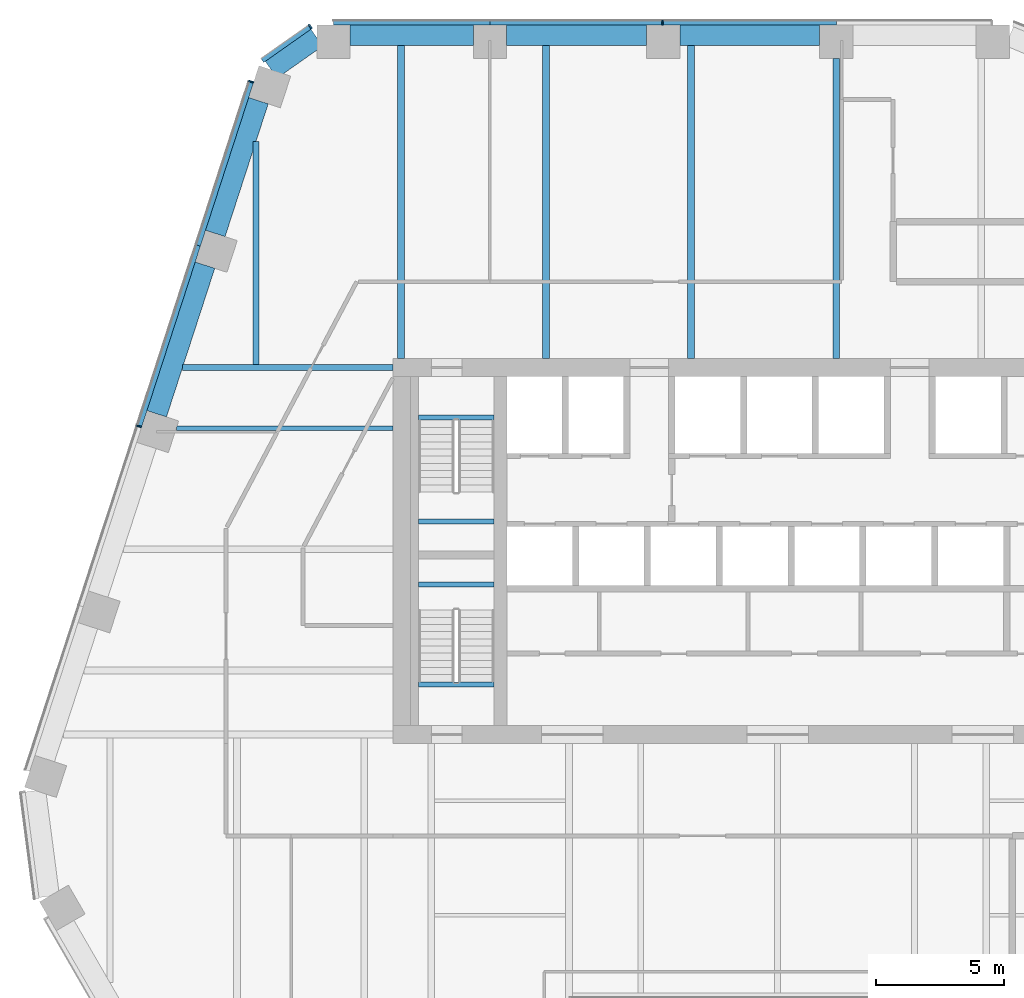
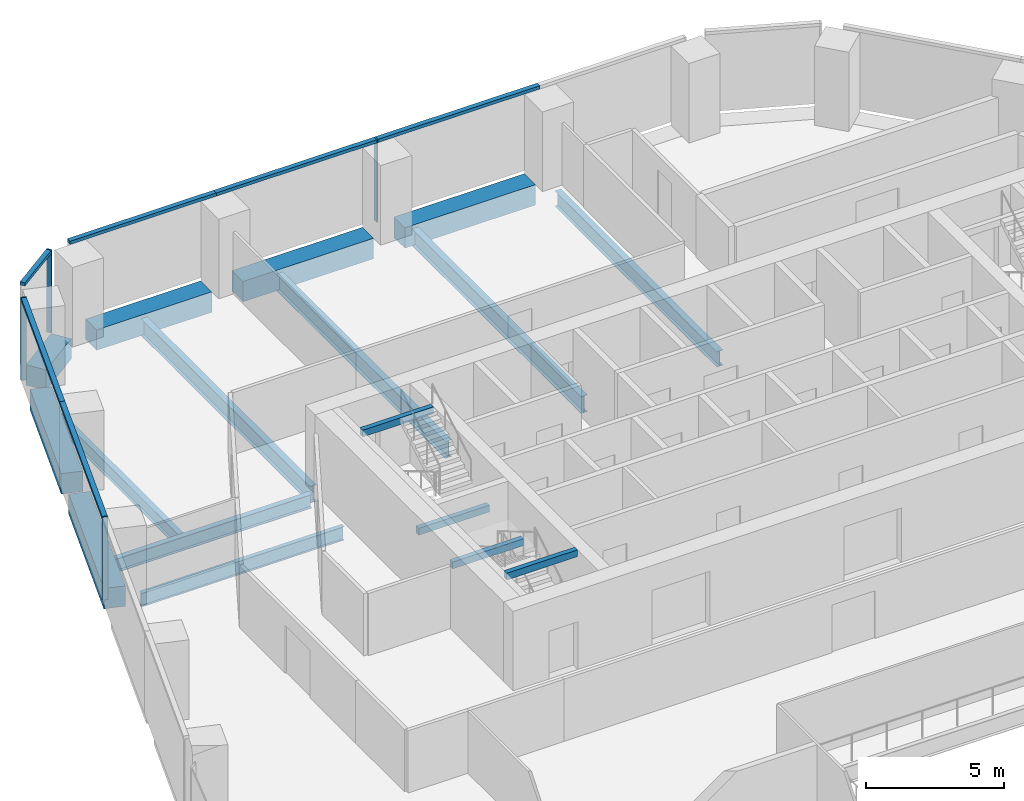
# One storey, part 7 of 16: 17 beams, 10 members, 3 elements without a shape of their own.
"""IFC4 building model written with IfcOpenShell, lengths in metres."""

from ifc_helpers import new_model, si_unit, direction, frame, origin, origin_2d, place, context, subcontext, project, spatial, rectangle, i_section, extrude, material, layer, layer_set, material_profile, profile_set, type_object, element, aggregate, save


model = new_model("IFC4")

# Units and contexts
model_context = context("Model", 3, precision=1e-05, world=origin(), true_north=direction((0.0, 1.0)))
body_context = subcontext(model_context, "Body", "Model", "MODEL_VIEW")
ifc_project = project(units=[si_unit("LENGTHUNIT", "METRE"), si_unit("AREAUNIT", "SQUARE_METRE"), si_unit("VOLUMEUNIT", "CUBIC_METRE"), si_unit("PLANEANGLEUNIT", "RADIAN"), si_unit("MASSUNIT", "GRAM", prefix="KILO")], contexts=[model_context])

# Site, building, storey
site_placement = place(None, origin())
site = spatial("IfcSite", under=ifc_project, at=site_placement, CompositionType="ELEMENT")
building_placement = place(site_placement, origin())
building = spatial("IfcBuilding", under=site, at=building_placement, Name="Isthmus Gate Tower", CompositionType="ELEMENT")
storey_placement = place(building_placement, frame((0.0, 0.0, 170.800048828125)))
storey = spatial("IfcBuildingStorey", under=building, at=storey_placement, Name="L42", CompositionType="ELEMENT", Elevation=170.800048828125)

# Curtain wall, member
ifc_material_1 = material(Name="Aluminium, pale champagne anodised", Category="aluminium")
ifc_layer = layer(ifc_material_1, 0.199951171875)
ifc_layer_set = layer_set([ifc_layer], Name="CW-1 UNITISED CURTAIN WALL 200 DEEP")
curtain_wall_type = type_object("IfcCurtainWallType", Name="CW-1 UNITISED CURTAIN WALL 200 DEEP", PredefinedType="NOTDEFINED", material=ifc_layer_set)
curtain_wall_1_placement = place(storey_placement, origin())
curtain_wall_1 = element("IfcCurtainWall", 1, at=curtain_wall_1_placement, inside=storey, type_object=curtain_wall_type, Name="CW-1 N L42", PredefinedType="NOTDEFINED")
ifc_material_2 = material(Name="Aluminium, pale champagne anodised", Category="aluminium")
ifc_material_profile_1 = material_profile(ifc_material_2, rectangle(XDim=0.06005859375, YDim=0.199951171875, at=origin_2d()), Name="60x200")
ifc_profile_set_1 = profile_set([ifc_material_profile_1], Name="Aluminium, pale champagne anodised")
member_type_1 = type_object("IfcMemberType", Name="CW-1 MULLION 60 X 200", PredefinedType="MULLION", material=ifc_profile_set_1)
member_1_placement = place(storey_placement, frame((-4.49169921875, 28.10009765625, 0.0), z_axis=(0.0, 0.0, 1.0), x_axis=(-1.0, 0.0, 0.0)))
member_1 = element("IfcMember", 2, at=member_1_placement, type_object=member_type_1, Name="CW-1 mullion", PredefinedType="MULLION", context=body_context, shape_type="SweptSolid", body=[
    extrude(rectangle(XDim=0.06005859375, YDim=0.199951171875, at=origin_2d()), origin(), (0.0, 0.0, 1.0), 3.64990234375),
])

curtain_wall_2_placement = place(storey_placement, origin())
curtain_wall_2 = element("IfcCurtainWall", 3, at=curtain_wall_2_placement, inside=storey, type_object=curtain_wall_type, Name="CW-1 N-NW L42", PredefinedType="NOTDEFINED")
member_2_placement = place(storey_placement, frame((-18.216552734375, 27.943115234375, 0.0), z_axis=(0.0, 0.0, 1.0), x_axis=(-0.81785959165, -0.57541783805, 0.0)))
member_2 = element("IfcMember", 4, at=member_2_placement, type_object=member_type_1, Name="CW-1 mullion", PredefinedType="MULLION", context=body_context, shape_type="SweptSolid", body=[
    extrude(rectangle(XDim=0.06005859375, YDim=0.199951171875, at=origin_2d()), origin(), (0.0, 0.0, 1.0), 3.64990234375),
])

# Curtain wall, members
curtain_wall_3_placement = place(storey_placement, origin())
curtain_wall_3 = element("IfcCurtainWall", 5, at=curtain_wall_3_placement, inside=storey, type_object=curtain_wall_type, Name="CW-1 NW L42", PredefinedType="NOTDEFINED")
member_3_placement = place(storey_placement, frame((-20.52001953125, 25.799072265625, 0.0), z_axis=(0.0, 0.0, 1.0), x_axis=(-0.309016994375, -0.951056516295, 0.0)))
member_3 = element("IfcMember", 6, at=member_3_placement, type_object=member_type_1, Name="CW-1 mullion", PredefinedType="MULLION", context=body_context, shape_type="SweptSolid", body=[
    extrude(rectangle(XDim=0.06005859375, YDim=0.199951171875, at=origin_2d()), origin(), (0.0, 0.0, 1.0), 3.64990234375),
])
member_4_placement = place(storey_placement, frame((-24.886962890625, 12.359130859375, 0.0), z_axis=(0.0, 0.0, 1.0), x_axis=(-0.309016994375, -0.951056516295, 0.0)))
member_4 = element("IfcMember", 7, at=member_4_placement, type_object=member_type_1, Name="CW-1 mullion", PredefinedType="MULLION", context=body_context, shape_type="SweptSolid", body=[
    extrude(rectangle(XDim=0.06005859375, YDim=0.199951171875, at=origin_2d()), origin(), (0.0, 0.0, 1.0), 3.64990234375),
])

# Member
ifc_material_3 = material(Name="Aluminium, pale champagne anodised", Category="aluminium")
ifc_material_profile_2 = material_profile(ifc_material_3, rectangle(XDim=0.199951171875, YDim=0.139892578125, at=origin_2d()), Name="200x140")
ifc_profile_set_2 = profile_set([ifc_material_profile_2], Name="Aluminium, pale champagne anodised")
member_type_2 = type_object("IfcMemberType", Name="CW-1 TRANSOM 200 X 140", PredefinedType="USERDEFINED", material=ifc_profile_set_2)
member_5_placement = place(storey_placement, frame((2.288330078125, 28.10009765625, 3.579833984375), z_axis=(-1.0, 0.0, 0.0), x_axis=(0.0, -1.0, 0.0)))
member_5 = element("IfcMember", 8, at=member_5_placement, type_object=member_type_2, Name="CW-1 transom", ObjectType="TRANSOM", PredefinedType="USERDEFINED", context=body_context, shape_type="SweptSolid", body=[
    extrude(rectangle(XDim=0.199951171875, YDim=0.139892578125, at=origin_2d()), origin(), (0.0, 0.0, 1.0), 6.75),
])

member_6_placement = place(storey_placement, frame((-4.521728515625, 28.10009765625, 3.579833984375), z_axis=(-1.0, 0.0, 0.0), x_axis=(0.0, -1.0, 0.0)))
member_6 = element("IfcMember", 9, at=member_6_placement, type_object=member_type_2, Name="CW-1 transom", ObjectType="TRANSOM", PredefinedType="USERDEFINED", context=body_context, shape_type="SweptSolid", body=[
    extrude(rectangle(XDim=0.199951171875, YDim=0.139892578125, at=origin_2d()), origin(), (0.0, 0.0, 1.0), 6.690185546875),
])

member_7_placement = place(storey_placement, frame((-11.2119140625, 28.10009765625, 3.579833984375), z_axis=(-1.0, 0.0, 0.0), x_axis=(0.0, -1.0, 0.0)))
member_7 = element("IfcMember", 10, at=member_7_placement, type_object=member_type_2, Name="CW-1 transom", ObjectType="TRANSOM", PredefinedType="USERDEFINED", context=body_context, shape_type="SweptSolid", body=[
    extrude(rectangle(XDim=0.199951171875, YDim=0.139892578125, at=origin_2d()), origin(), (0.0, 0.0, 1.0), 6.10009765625),
])

aggregate(curtain_wall_1, [member_5, member_1, member_6, member_7])

member_8_placement = place(storey_placement, frame((-18.2412109375, 27.92578125, 3.579833984375), z_axis=(-0.817868595604, -0.575405040233, 0.0), x_axis=(0.575405040233, -0.817868595604, 0.0)))
member_8 = element("IfcMember", 11, at=member_8_placement, type_object=member_type_2, Name="CW-1 transom", ObjectType="TRANSOM", PredefinedType="USERDEFINED", context=body_context, shape_type="SweptSolid", body=[
    extrude(rectangle(XDim=0.199951171875, YDim=0.139892578125, at=origin_2d()), origin(), (0.0, 0.0, 1.0), 2.258544921875),
])

aggregate(curtain_wall_2, [member_2, member_8])

member_9_placement = place(storey_placement, frame((-20.529296875, 25.7705078125, 3.579833984375), z_axis=(-0.309015834351, -0.951056893209, 0.0), x_axis=(0.951056893209, -0.309015834351, 0.0)))
member_9 = element("IfcMember", 12, at=member_9_placement, type_object=member_type_2, Name="CW-1 transom", ObjectType="TRANSOM", PredefinedType="USERDEFINED", context=body_context, shape_type="SweptSolid", body=[
    extrude(rectangle(XDim=0.199951171875, YDim=0.139892578125, at=origin_2d()), origin(), (0.0, 0.0, 1.0), 6.6806640625),
])

member_10_placement = place(storey_placement, frame((-22.59375, 19.416748046875, 3.579833984375), z_axis=(-0.309024076379, -0.951054215183, 0.0), x_axis=(0.951054215183, -0.309024076379, 0.0)))
member_10 = element("IfcMember", 13, at=member_10_placement, type_object=member_type_2, Name="CW-1 transom", ObjectType="TRANSOM", PredefinedType="USERDEFINED", context=body_context, shape_type="SweptSolid", body=[
    extrude(rectangle(XDim=0.199951171875, YDim=0.139892578125, at=origin_2d()), origin(), (0.0, 0.0, 1.0), 7.390869140625),
])

aggregate(curtain_wall_3, [member_3, member_9, member_10, member_4])

# Beams
ifc_material_4 = material(Name="Concrete f'c 60 MPa", Category="concrete")
ifc_material_profile_3 = material_profile(ifc_material_4, rectangle(XDim=0.800048828125, YDim=0.89990234375, at=origin_2d()), Name="RC 800X900")
ifc_profile_set_3 = profile_set([ifc_material_profile_3], Name="Concrete f'c 60 MPa")
beam_type_1 = type_object("IfcBeamType", Name="RC SPANDREL 800 X 900", PredefinedType="SPANDREL", material=ifc_profile_set_3)
beam_1_placement = place(storey_placement, frame((-24.201416015625, 12.851318359375, -0.449951171875), z_axis=(0.309039848514, 0.951049090232, 0.0), x_axis=(-0.951049090232, 0.309039848514, 0.0)))
element("IfcBeam", 14, at=beam_1_placement, inside=storey, type_object=beam_type_1, Name="str-spandrel-L42-23", PredefinedType="SPANDREL", context=body_context, shape_type="SweptSolid", body=[
    extrude(rectangle(XDim=0.800048828125, YDim=0.89990234375, at=origin_2d()), origin(), (0.0, 0.0, 1.0), 6.0908203125),
])
beam_2_placement = place(storey_placement, frame((-21.91748046875, 19.88037109375, -0.449951171875), z_axis=(0.309030267747, 0.951052203413, 0.0), x_axis=(-0.951052203413, 0.309030267747, 0.0)))
element("IfcBeam", 15, at=beam_2_placement, inside=storey, type_object=beam_type_1, Name="str-spandrel-L42-24", PredefinedType="SPANDREL", context=body_context, shape_type="SweptSolid", body=[
    extrude(rectangle(XDim=0.800048828125, YDim=0.89990234375, at=origin_2d()), origin(), (0.0, 0.0, 1.0), 5.44091796875),
])
beam_3_placement = place(storey_placement, frame((-19.7392578125, 26.260498046875, -0.449951171875), z_axis=(0.817857331203, 0.575421050882, 0.0), x_axis=(-0.575421050882, 0.817857331203, 0.0)))
element("IfcBeam", 16, at=beam_3_placement, inside=storey, type_object=beam_type_1, Name="str-spandrel-L42-25", PredefinedType="SPANDREL", context=body_context, shape_type="SweptSolid", body=[
    extrude(rectangle(XDim=0.800048828125, YDim=0.89990234375, at=origin_2d()), origin(), (0.0, 0.0, 1.0), 2.173095703125),
])
beam_4_placement = place(storey_placement, frame((-16.661865234375, 27.60009765625, -0.449951171875), z_axis=(1.0, 0.0, 0.0), x_axis=(0.0, 1.0, 0.0)))
element("IfcBeam", 17, at=beam_4_placement, inside=storey, type_object=beam_type_1, Name="str-spandrel-L42-26", PredefinedType="SPANDREL", context=body_context, shape_type="SweptSolid", body=[
    extrude(rectangle(XDim=0.800048828125, YDim=0.89990234375, at=origin_2d()), origin(), (0.0, 0.0, 1.0), 4.800048828125),
])
beam_5_placement = place(storey_placement, frame((-10.561767578125, 27.60009765625, -0.449951171875), z_axis=(1.0, 0.0, 0.0), x_axis=(0.0, 1.0, 0.0)))
element("IfcBeam", 18, at=beam_5_placement, inside=storey, type_object=beam_type_1, Name="str-spandrel-L42-27", PredefinedType="SPANDREL", context=body_context, shape_type="SweptSolid", body=[
    extrude(rectangle(XDim=0.800048828125, YDim=0.89990234375, at=origin_2d()), origin(), (0.0, 0.0, 1.0), 5.449951171875),
])
beam_6_placement = place(storey_placement, frame((-3.811767578125, 27.60009765625, -0.449951171875), z_axis=(1.0, 0.0, 0.0), x_axis=(0.0, 1.0, 0.0)))
element("IfcBeam", 19, at=beam_6_placement, inside=storey, type_object=beam_type_1, Name="str-spandrel-L42-28", PredefinedType="SPANDREL", context=body_context, shape_type="SweptSolid", body=[
    extrude(rectangle(XDim=0.800048828125, YDim=0.89990234375, at=origin_2d()), origin(), (0.0, 0.0, 1.0), 5.4501953125),
])
ifc_material_5 = material(Name="Concrete f'c 40 MPa", Category="concrete")
ifc_material_profile_4 = material_profile(ifc_material_5, rectangle(XDim=0.199951171875, YDim=0.300048828125, at=origin_2d()), Name="STAIR LANDING BEAM RC 200 X 300")
ifc_profile_set_4 = profile_set([ifc_material_profile_4], Name="Concrete f'c 40 MPa")
beam_type_2 = type_object("IfcBeamType", Name="STAIR LANDING BEAM RC 200 X 300", PredefinedType="BEAM", material=ifc_profile_set_4)
for number, where, z_axis, x_axis, name in (
    (20, (-14.0, 8.64990234375, 1.474853515625), (1.0, 0.0, 0.0), (0.0, 1.0, 0.0), "L42 ST1 landing beam 1"),
    (21, (-14.0, 12.7001953125, 3.349853515625), (1.0, 0.0, 0.0), (0.0, 1.0, 0.0), "L42 ST1 floor-edge seat beam"),
    (22, (-14.0, 6.199951171875, 1.474853515625), (1.0, 0.0, 0.0), (0.0, 1.0, 0.0), "L42 ST7 landing beam 1"),
    (23, (-14.0, 2.2998046875, 3.349853515625), (1.0, 0.0, 0.0), (0.0, 1.0, 0.0), "L42 ST7 floor-edge seat beam"),
):
    element("IfcBeam", number, at=place(storey_placement, frame(where, z_axis=z_axis, x_axis=x_axis)), inside=storey, type_object=beam_type_2, Name=name, PredefinedType="BEAM", context=body_context, shape_type="SweptSolid", body=[
        extrude(rectangle(XDim=0.199951171875, YDim=0.300048828125, at=origin_2d()), origin(), (0.0, 0.0, 1.0), 2.949951171875),
    ])
ifc_material_6 = material(Name="Structural steel ASTM A992 Gr 50", Category="steel")
ifc_material_profile_5 = material_profile(ifc_material_6, i_section(OverallWidth=0.177734375, OverallDepth=0.60009765625, WebThickness=0.009521484375, FlangeThickness=0.0126953125, at=origin_2d()), Name="W24X55")
ifc_profile_set_5 = profile_set([ifc_material_profile_5], Name="Structural steel ASTM A992 Gr 50")
beam_type_3 = type_object("IfcBeamType", Name="STEEL FLOOR BEAM W24X55", PredefinedType="JOIST", material=ifc_profile_set_5)
beam_7_placement = place(storey_placement, frame((-23.43798828125, 12.28857421875, -0.4501953125), z_axis=(1.0, 0.0, 0.0), x_axis=(0.0, 1.0, 0.0)))
element("IfcBeam", 24, at=beam_7_placement, inside=storey, type_object=beam_type_3, Name="str-beam-L42-01-02", PredefinedType="JOIST", context=body_context, shape_type="SweptSolid", body=[
    extrude(i_section(OverallWidth=0.177734375, OverallDepth=0.60009765625, WebThickness=0.009521484375, FlangeThickness=0.0126953125, at=origin_2d()), origin(), (0.0, 0.0, 1.0), 8.43798828125),
])
ifc_material_7 = material(Name="Structural steel ASTM A992 Gr 50", Category="steel")
ifc_material_profile_6 = material_profile(ifc_material_7, i_section(OverallWidth=0.228515625, OverallDepth=0.603271484375, WebThickness=0.010986328125, FlangeThickness=0.014404296875, at=origin_2d()), Name="W24X68")
ifc_profile_set_6 = profile_set([ifc_material_profile_6], Name="Structural steel ASTM A992 Gr 50")
beam_type_4 = type_object("IfcBeamType", Name="STEEL FLOOR BEAM W24X68", PredefinedType="JOIST", material=ifc_profile_set_6)
beam_8_placement = place(storey_placement, frame((-20.332763671875, 14.764404296875, -0.45166015625), z_axis=(0.0, 1.0, 0.0), x_axis=(-1.0, 0.0, 0.0)))
element("IfcBeam", 25, at=beam_8_placement, inside=storey, type_object=beam_type_4, Name="str-beam-L42-05-00", PredefinedType="JOIST", context=body_context, shape_type="SweptSolid", body=[
    extrude(i_section(OverallWidth=0.228515625, OverallDepth=0.603271484375, WebThickness=0.010986328125, FlangeThickness=0.014404296875, at=origin_2d()), origin(), (0.0, 0.0, 1.0), 8.69873046875),
])
ifc_material_8 = material(Name="Structural steel ASTM A992 Gr 50", Category="steel")
ifc_material_profile_7 = material_profile(ifc_material_8, i_section(OverallWidth=0.25390625, OverallDepth=0.679443359375, WebThickness=0.010986328125, FlangeThickness=0.015869140625, at=origin_2d()), Name="W27X84")
ifc_profile_set_7 = profile_set([ifc_material_profile_7], Name="Structural steel ASTM A992 Gr 50")
beam_type_5 = type_object("IfcBeamType", Name="STEEL FLOOR BEAM W27X84", PredefinedType="JOIST", material=ifc_profile_set_7)
beam_9_placement = place(storey_placement, frame((2.2783203125, 15.0, -0.48974609375), z_axis=(0.0, 1.0, 0.0), x_axis=(-1.0, 0.0, 0.0)))
element("IfcBeam", 26, at=beam_9_placement, inside=storey, type_object=beam_type_5, Name="str-beam-L42-05-04", PredefinedType="JOIST", context=body_context, shape_type="SweptSolid", body=[
    extrude(i_section(OverallWidth=0.25390625, OverallDepth=0.679443359375, WebThickness=0.010986328125, FlangeThickness=0.015869140625, at=origin_2d()), origin(), (0.0, 0.0, 1.0), 11.699951171875),
])
ifc_material_9 = material(Name="Structural steel ASTM A992 Gr 50", Category="steel")
ifc_material_profile_8 = material_profile(ifc_material_9, i_section(OverallWidth=0.263427734375, OverallDepth=0.749267578125, WebThickness=0.0126953125, FlangeThickness=0.015869140625, at=origin_2d()), Name="W30X90")
ifc_profile_set_8 = profile_set([ifc_material_profile_8], Name="Structural steel ASTM A992 Gr 50")
beam_type_6 = type_object("IfcBeamType", Name="STEEL FLOOR BEAM W30X90", PredefinedType="JOIST", material=ifc_profile_set_8)
for number, where, z_axis, x_axis, name in (
    (27, (-14.679931640625, 15.0, -0.524658203125), (0.0, 1.0, 0.0), (-1.0, 0.0, 0.0), "str-beam-L42-05-01"),
    (28, (-9.027099609375, 15.0, -0.524658203125), (0.0, 1.0, 0.0), (-1.0, 0.0, 0.0), "str-beam-L42-05-02"),
    (29, (-3.37451171875, 15.0, -0.524658203125), (0.0, 1.0, 0.0), (-1.0, 0.0, 0.0), "str-beam-L42-05-03"),
):
    element("IfcBeam", number, at=place(storey_placement, frame(where, z_axis=z_axis, x_axis=x_axis)), inside=storey, type_object=beam_type_6, Name=name, PredefinedType="JOIST", context=body_context, shape_type="SweptSolid", body=[
        extrude(i_section(OverallWidth=0.263427734375, OverallDepth=0.749267578125, WebThickness=0.0126953125, FlangeThickness=0.015869140625, at=origin_2d()), origin(), (0.0, 0.0, 1.0), 12.199951171875),
    ])
ifc_material_10 = material(Name="Structural steel ASTM A992 Gr 50", Category="steel")
ifc_material_profile_9 = material_profile(ifc_material_10, i_section(OverallWidth=0.228515625, OverallDepth=0.6064453125, WebThickness=0.010986328125, FlangeThickness=0.017578125, at=origin_2d()), Name="W24X76")
ifc_profile_set_9 = profile_set([ifc_material_profile_9], Name="Structural steel ASTM A992 Gr 50")
beam_type_7 = type_object("IfcBeamType", Name="STEEL GIRDER W24X76", PredefinedType="BEAM", material=ifc_profile_set_9)
beam_10_placement = place(storey_placement, frame((-15.0, 14.64990234375, -0.453369140625), z_axis=(-1.0, 0.0, 0.0), x_axis=(0.0, -1.0, 0.0)))
element("IfcBeam", 30, at=beam_10_placement, inside=storey, type_object=beam_type_7, Name="str-girder-L42-15", PredefinedType="BEAM", context=body_context, shape_type="SweptSolid", body=[
    extrude(i_section(OverallWidth=0.228515625, OverallDepth=0.6064453125, WebThickness=0.010986328125, FlangeThickness=0.017578125, at=origin_2d()), origin(), (0.0, 0.0, 1.0), 8.1962890625),
])

save(model, "model.ifc")
